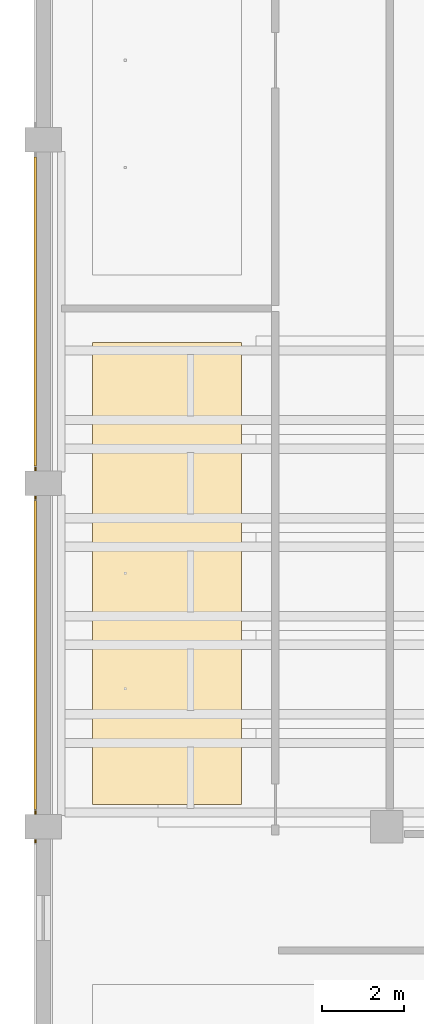
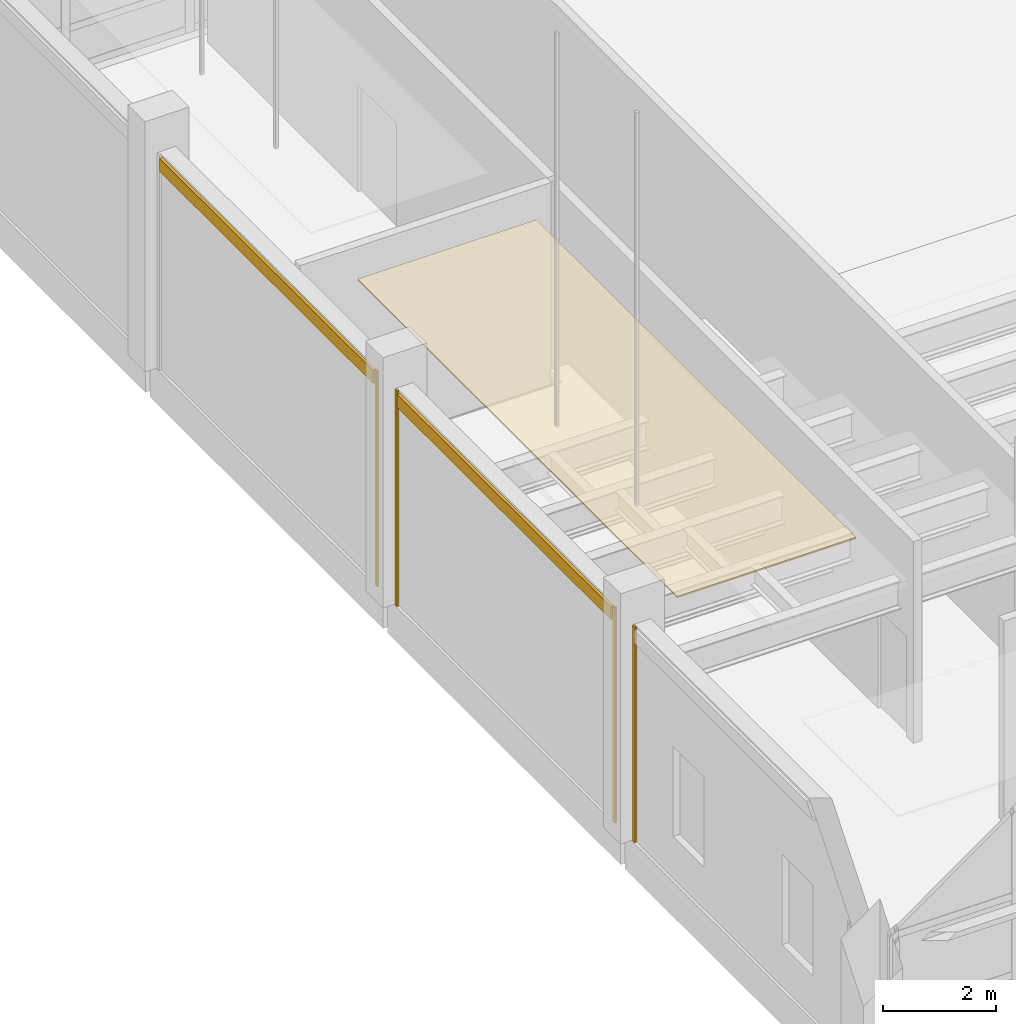
# One storey, part 128 of 140: 7 coverings.
"""IFC4 building model written with IfcOpenShell, lengths in metres."""

from ifc_helpers import new_model, si_unit, direction, frame, origin, origin_2d, place, context, subcontext, project, spatial, polyline, rectangle, outline, extrude, material, layer, layer_set, type_object, element, save


model = new_model("IFC4")

# Units and contexts
model_context = context("Model", 3, precision=1e-05, world=origin(), true_north=direction((0.0, 1.0)))
body_context = subcontext(model_context, "Body", "Model", "MODEL_VIEW")
ifc_project = project(units=[si_unit("LENGTHUNIT", "METRE"), si_unit("AREAUNIT", "SQUARE_METRE"), si_unit("VOLUMEUNIT", "CUBIC_METRE"), si_unit("PLANEANGLEUNIT", "RADIAN"), si_unit("MASSUNIT", "GRAM", prefix="KILO")], contexts=[model_context])

# Site, building, storey
site_placement = place(None, origin())
site = spatial("IfcSite", under=ifc_project, at=site_placement, CompositionType="ELEMENT")
building_placement = place(site_placement, origin())
building = spatial("IfcBuilding", under=site, at=building_placement, Name="Telukmera Botanical Conservatory", CompositionType="ELEMENT")
storey_placement = place(building_placement, origin())
storey = spatial("IfcBuildingStorey", under=building, at=storey_placement, Name="L00", CompositionType="ELEMENT", Elevation=0.0)

# Coverings
ifc_material_1 = material(Name="Mineral fibre acoustic ceiling")
ifc_layer_1 = layer(ifc_material_1, 0.030029296875)
ifc_layer_set_1 = layer_set([ifc_layer_1], Name="Mineral fibre acoustic ceiling")
covering_type_1 = type_object("IfcCoveringType", Name="COV-CEIL-30", PredefinedType="CEILING", material=ifc_layer_set_1)
covering_placement = place(storey_placement, frame((0.0, 0.0, 4.219970703125)))
element("IfcCovering", 1, at=covering_placement, inside=storey, type_object=covering_type_1, Name="L00 Auditorium Green Room Suspended Acoustic Ceiling", PredefinedType="CEILING", context=body_context, shape_type="SweptSolid", body=[
    extrude(outline(polyline([(9.60009765625, 92.14990234375), (13.25, 92.14990234375), (13.25, 103.449951171875), (9.60009765625, 103.449951171875), (9.60009765625, 92.14990234375)])), origin(), (0.0, 0.0, 1.0), 0.030029296875),
])
ifc_material_2 = material(Name="Granite-faced precast concrete C40/50", Category="masonry")
ifc_layer_2 = layer(ifc_material_2, 0.0400390625)
ifc_layer_set_2 = layer_set([ifc_layer_2], Name="Granite-faced precast concrete C40/50")
covering_type_2 = type_object("IfcCoveringType", Name="Granite Precast Column Pier Reveal Casing", PredefinedType="CLADDING", material=ifc_layer_set_2)
for number, where, z_axis, x_axis, name in (
    (2, (8.2099609375, 91.248046875, 0.0), (0.0, 0.0, 1.0), (0.0, 1.0, 0.0), "Granite Pier Reveal V2:L00:W1 R"),
    (3, (8.2099609375, 91.951904296875, 0.0), (0.0, 0.0, 1.0), (0.0, 1.0, 0.0), "Granite Pier Reveal V2:L00:W2 L"),
    (4, (8.2099609375, 99.64794921875, 0.0), (0.0, 0.0, 1.0), (0.0, 1.0, 0.0), "Granite Pier Reveal V2:L00:W2 R"),
    (5, (8.2099609375, 100.35205078125, 0.0), (0.0, 0.0, 1.0), (0.0, 1.0, 0.0), "Granite Pier Reveal V2:L00:W3 L"),
):
    element("IfcCovering", number, at=place(storey_placement, frame(where, z_axis=z_axis, x_axis=x_axis)), inside=storey, type_object=covering_type_2, Name=name, PredefinedType="CLADDING", context=body_context, shape_type="SweptSolid", body=[
        extrude(rectangle(XDim=0.080078125, YDim=0.0400390625, at=origin_2d()), origin(), (0.0, 0.0, 1.0), 4.64990234375),
    ])
ifc_material_3 = material(Name="Terracotta-faced precast concrete C40/50", Category="masonry")
ifc_layer_3 = layer(ifc_material_3, 0.06005859375)
ifc_layer_set_3 = layer_set([ifc_layer_3], Name="Terracotta-faced precast concrete C40/50")
covering_type_3 = type_object("IfcCoveringType", Name="Polychrome Terracotta Facade Band Cladding", PredefinedType="CLADDING", material=ifc_layer_set_3)
for number, where, z_axis, x_axis, name in (
    (6, (8.199951171875, 95.800048828125, 4.330078125), (0.0, 0.0, 1.0), (0.0, 1.0, 0.0), "Polychrome Terracotta Band V2:L00:W2"),
    (7, (8.199951171875, 104.199951171875, 4.330078125), (0.0, 0.0, 1.0), (0.0, 1.0, 0.0), "Polychrome Terracotta Band V2:L00:W3"),
):
    element("IfcCovering", number, at=place(storey_placement, frame(where, z_axis=z_axis, x_axis=x_axis)), inside=storey, type_object=covering_type_3, Name=name, PredefinedType="CLADDING", context=body_context, shape_type="SweptSolid", body=[
        extrude(rectangle(XDim=7.555908203125, YDim=0.06005859375, at=origin_2d()), origin(), (0.0, 0.0, 1.0), 0.280029296875),
    ])

save(model, "model.ifc")
